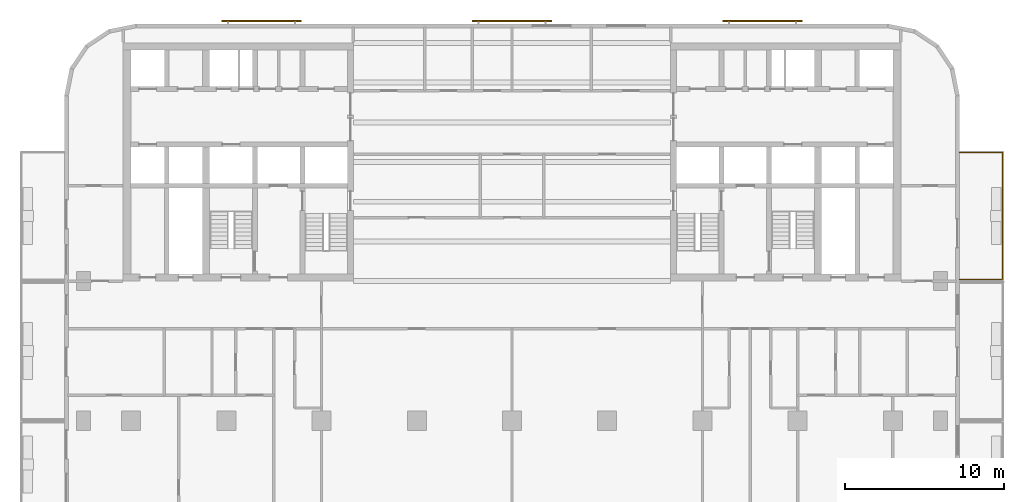
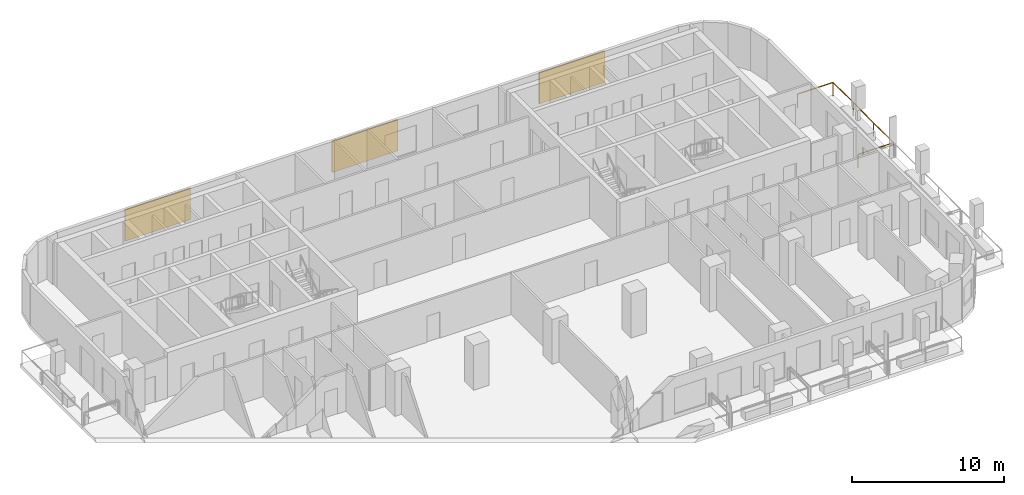
# One storey, part 10 of 11: 3 shading devices, 1 railing.
"""IFC4 building model written with IfcOpenShell, lengths in metres."""

from ifc_helpers import new_model, si_unit, direction, frame, origin, origin_2d, place, context, subcontext, project, spatial, rectangle, circle, extrude, material, layer, layer_set, type_object, element, save


model = new_model("IFC4")

# Units and contexts
model_context = context("Model", 3, precision=1e-05, world=origin(), true_north=direction((0.0, 1.0)))
body_context = subcontext(model_context, "Body", "Model", "MODEL_VIEW")
ifc_project = project(units=[si_unit("LENGTHUNIT", "METRE"), si_unit("AREAUNIT", "SQUARE_METRE"), si_unit("VOLUMEUNIT", "CUBIC_METRE"), si_unit("PLANEANGLEUNIT", "RADIAN"), si_unit("MASSUNIT", "GRAM", prefix="KILO")], contexts=[model_context])

# Site, building, storey
site_placement = place(None, origin())
site = spatial("IfcSite", under=ifc_project, at=site_placement, CompositionType="ELEMENT")
building_placement = place(site_placement, origin())
building = spatial("IfcBuilding", under=site, at=building_placement, Name="Torana Hotel and Residences", CompositionType="ELEMENT")
storey_placement = place(building_placement, frame((0.0, 0.0, 123.60009765625)))
storey = spatial("IfcBuildingStorey", under=building, at=storey_placement, Name="L31", CompositionType="ELEMENT", Elevation=123.60009765625)

# Railing
ifc_material_1 = material(Name="Laminated glass balustrade with black handrail", Category="glass")
railing_type = type_object("IfcRailingType", Name="GR1 BALCONY GUARD 1100 GLASS", PredefinedType="GUARDRAIL", material=ifc_material_1)
railing_placement = place(storey_placement, frame((28.199951171875, -6.89990234375, 0.0)))
element("IfcRailing", 1, at=railing_placement, inside=storey, type_object=railing_type, Name="Balcony guard 14", PredefinedType="GUARDRAIL", context=body_context, shape_type="SweptSolid", body=[
    extrude(circle(Radius=0.02392578125, at=origin_2d()), frame((0.0, 0.0, 1.076171875), z_axis=(1.0, 0.0, 0.0), x_axis=(0.0, 1.0, 0.0)), (0.0, 0.0, 1.0), 2.699951171875),
    extrude(circle(Radius=0.02392578125, at=origin_2d()), frame((2.699951171875, 0.0, 1.076171875), z_axis=(0.0, -1.0, 0.0), x_axis=(1.0, 0.0, 0.0)), (0.0, 0.0, 1.0), 8.0),
    extrude(circle(Radius=0.02392578125, at=origin_2d()), frame((2.699951171875, -8.0, 1.076171875), z_axis=(-1.0, 0.0, 0.0), x_axis=(0.0, -1.0, 0.0)), (0.0, 0.0, 1.0), 2.699951171875),
    extrude(circle(Radius=0.02099609375, at=origin_2d()), origin(), (0.0, 0.0, 1.0), 1.052001953125),
    extrude(circle(Radius=0.02099609375, at=origin_2d()), frame((2.699951171875, 0.0, 0.0)), (0.0, 0.0, 1.0), 1.052001953125),
    extrude(circle(Radius=0.02099609375, at=origin_2d()), frame((2.699951171875, -2.666748046875, 0.0)), (0.0, 0.0, 1.0), 1.052001953125),
    extrude(circle(Radius=0.02099609375, at=origin_2d()), frame((2.699951171875, -5.333251953125, 0.0)), (0.0, 0.0, 1.0), 1.052001953125),
    extrude(circle(Radius=0.02099609375, at=origin_2d()), frame((2.699951171875, -8.0, 0.0)), (0.0, 0.0, 1.0), 1.052001953125),
    extrude(circle(Radius=0.02099609375, at=origin_2d()), frame((0.0, -8.0, 0.0)), (0.0, 0.0, 1.0), 1.052001953125),
])

# Shading devices
ifc_material_2 = material(Name="Concrete C40/50 precast", Category="concrete")
ifc_layer = layer(ifc_material_2, 0.10009765625)
ifc_layer_set = layer_set([ifc_layer], Name="SC1 PERFORATED BLOCK SCREEN PANEL 100")
shading_device_type = type_object("IfcShadingDeviceType", Name="SC1 PERFORATED BLOCK SCREEN PANEL 100", PredefinedType="USERDEFINED", material=ifc_layer_set)
for number, where, z_axis, x_axis, name in (
    (2, (15.78369140625, 1.39990234375, 0.5), (0.0, 0.0, 1.0), (-1.0, 0.0, 0.0), "Perforated block screen L31"),
    (3, (0.0, 1.39990234375, 0.5), (0.0, 0.0, 1.0), (-1.0, 0.0, 0.0), "Perforated block screen L31"),
    (4, (-15.78369140625, 1.39990234375, 0.5), (0.0, 0.0, 1.0), (-1.0, 0.0, 0.0), "Perforated block screen L31"),
):
    element("IfcShadingDevice", number, at=place(storey_placement, frame(where, z_axis=z_axis, x_axis=x_axis)), inside=storey, type_object=shading_device_type, Name=name, ObjectType="SCREEN", PredefinedType="USERDEFINED", context=body_context, shape_type="SweptSolid", body=[
        extrude(rectangle(XDim=5.0, YDim=0.10009765625, at=origin_2d()), origin(), (0.0, 0.0, 1.0), 2.52001953125),
    ])

save(model, "model.ifc")
